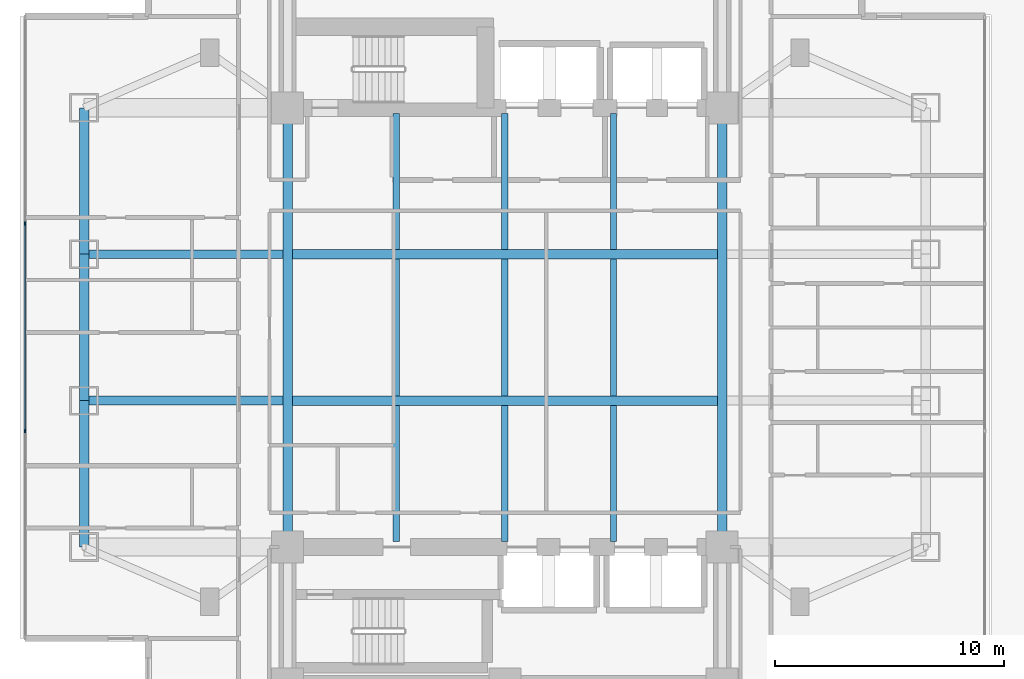
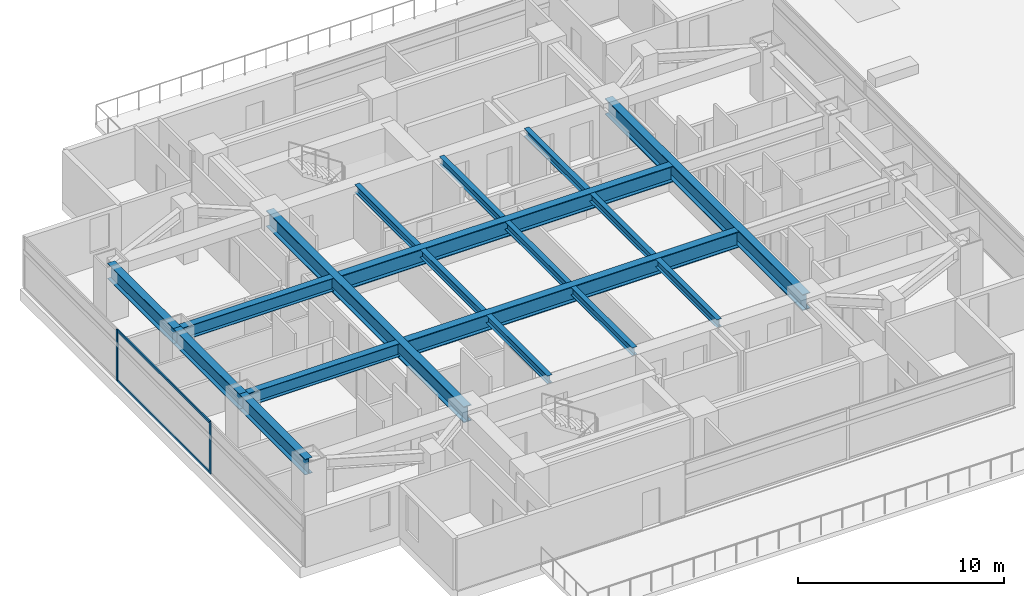
# One storey, part 3 of 26: 18 beams, 4 members, 1 element without a shape of its own.
"""IFC4 building model written with IfcOpenShell, lengths in metres."""

from ifc_helpers import new_model, si_unit, direction, frame, origin, origin_2d, place, context, subcontext, project, spatial, rectangle, i_section, extrude, material, material_profile, profile_set, type_object, element, aggregate, save


model = new_model("IFC4")

# Units and contexts
model_context = context("Model", 3, precision=1e-05, world=origin(), true_north=direction((0.0, 1.0)))
body_context = subcontext(model_context, "Body", "Model", "MODEL_VIEW")
ifc_project = project(units=[si_unit("LENGTHUNIT", "METRE"), si_unit("AREAUNIT", "SQUARE_METRE"), si_unit("VOLUMEUNIT", "CUBIC_METRE"), si_unit("PLANEANGLEUNIT", "RADIAN"), si_unit("MASSUNIT", "GRAM", prefix="KILO")], contexts=[model_context])

# Site, building, storey
site_placement = place(None, origin())
site = spatial("IfcSite", under=ifc_project, at=site_placement, CompositionType="ELEMENT")
building_placement = place(site_placement, origin())
building = spatial("IfcBuilding", under=site, at=building_placement, Name="Mirazonda Arch Towers", CompositionType="ELEMENT")
storey_placement = place(building_placement, frame((0.0, 0.0, 22.39990234375)))
storey = spatial("IfcBuildingStorey", under=building, at=storey_placement, Name="L05", CompositionType="ELEMENT", Elevation=22.39990234375)

# Beams
ifc_material_1 = material(Name="Steel ASTM A992 Grade 50", Category="steel")
ifc_material_profile_1 = material_profile(ifc_material_1, i_section(OverallWidth=0.41796875, OverallDepth=0.927001953125, WebThickness=0.019287109375, FlangeThickness=0.031982421875, at=origin_2d()), Name="W36X231")
ifc_profile_set_1 = profile_set([ifc_material_profile_1], Name="Steel ASTM A992 Grade 50")
beam_type_1 = type_object("IfcBeamType", Name="BM-EXT-W36X231", PredefinedType="USERDEFINED", material=ifc_profile_set_1)
beam_1_placement = place(storey_placement, frame((2.10009765625, 18.39990234375, 2.5966796875), z_axis=(0.0, 1.0, 0.0), x_axis=(-1.0, 0.0, 0.0)))
element("IfcBeam", 1, at=beam_1_placement, inside=storey, type_object=beam_type_1, Name="L05 Floor Beam BM-T1-L05-NS-W-18", ObjectType="GIRDER", PredefinedType="USERDEFINED", context=body_context, shape_type="SweptSolid", body=[
    extrude(i_section(OverallWidth=0.41796875, OverallDepth=0.927001953125, WebThickness=0.019287109375, FlangeThickness=0.031982421875, at=origin_2d()), origin(), (0.0, 0.0, 1.0), 6.400146484375),
])
beam_2_placement = place(storey_placement, frame((2.10009765625, 24.800048828125, 2.5966796875), z_axis=(0.0, 1.0, 0.0), x_axis=(-1.0, 0.0, 0.0)))
element("IfcBeam", 2, at=beam_2_placement, inside=storey, type_object=beam_type_1, Name="L05 Floor Beam BM-T1-L05-NS-W-24", ObjectType="GIRDER", PredefinedType="USERDEFINED", context=body_context, shape_type="SweptSolid", body=[
    extrude(i_section(OverallWidth=0.41796875, OverallDepth=0.927001953125, WebThickness=0.019287109375, FlangeThickness=0.031982421875, at=origin_2d()), origin(), (0.0, 0.0, 1.0), 6.39990234375),
])
beam_3_placement = place(storey_placement, frame((2.10009765625, 31.199951171875, 2.5966796875), z_axis=(0.0, 1.0, 0.0), x_axis=(-1.0, 0.0, 0.0)))
element("IfcBeam", 3, at=beam_3_placement, inside=storey, type_object=beam_type_1, Name="L05 Floor Beam BM-T1-L05-NS-W-31", ObjectType="GIRDER", PredefinedType="USERDEFINED", context=body_context, shape_type="SweptSolid", body=[
    extrude(i_section(OverallWidth=0.41796875, OverallDepth=0.927001953125, WebThickness=0.019287109375, FlangeThickness=0.031982421875, at=origin_2d()), origin(), (0.0, 0.0, 1.0), 6.400146484375),
])
ifc_material_profile_2 = material_profile(ifc_material_1, i_section(OverallWidth=0.280029296875, OverallDepth=0.462890625, WebThickness=0.0107421875, FlangeThickness=0.017333984375, at=origin_2d()), Name="W18X76")
ifc_profile_set_2 = profile_set([ifc_material_profile_2], Name="Steel ASTM A992 Grade 50")
beam_type_2 = type_object("IfcBeamType", Name="BM-INT-W18X76", PredefinedType="JOIST", material=ifc_profile_set_2)
for number, where, z_axis, x_axis, name in (
    (4, (15.75, 18.639892578125, 2.82861328125), (0.0, 1.0, 0.0), (-1.0, 0.0, 0.0), "L05 Floor Beam BM-T1-L05-J-157-18"),
    (5, (15.75, 31.407470703125, 2.82861328125), (0.0, 1.0, 0.0), (-1.0, 0.0, 0.0), "L05 Floor Beam BM-T1-L05-J-157-31"),
):
    element("IfcBeam", number, at=place(storey_placement, frame(where, z_axis=z_axis, x_axis=x_axis)), inside=storey, type_object=beam_type_2, Name=name, PredefinedType="JOIST", context=body_context, shape_type="SweptSolid", body=[
        extrude(i_section(OverallWidth=0.280029296875, OverallDepth=0.462890625, WebThickness=0.0107421875, FlangeThickness=0.017333984375, at=origin_2d()), origin(), (0.0, 0.0, 1.0), 5.95263671875),
    ])
beam_4_placement = place(storey_placement, frame((15.75, 25.007568359375, 2.82861328125), z_axis=(0.0, 1.0, 0.0), x_axis=(-1.0, 0.0, 0.0)))
element("IfcBeam", 6, at=beam_4_placement, inside=storey, type_object=beam_type_2, Name="L05 Floor Beam BM-T1-L05-J-157-24", PredefinedType="JOIST", context=body_context, shape_type="SweptSolid", body=[
    extrude(i_section(OverallWidth=0.280029296875, OverallDepth=0.462890625, WebThickness=0.0107421875, FlangeThickness=0.017333984375, at=origin_2d()), origin(), (0.0, 0.0, 1.0), 5.98486328125),
])
for number, where, z_axis, x_axis, name in (
    (7, (20.5, 18.639892578125, 2.82861328125), (0.0, 1.0, 0.0), (-1.0, 0.0, 0.0), "L05 Floor Beam BM-T1-L05-J-205-18"),
    (8, (20.5, 31.407470703125, 2.82861328125), (0.0, 1.0, 0.0), (-1.0, 0.0, 0.0), "L05 Floor Beam BM-T1-L05-J-205-31"),
):
    element("IfcBeam", number, at=place(storey_placement, frame(where, z_axis=z_axis, x_axis=x_axis)), inside=storey, type_object=beam_type_2, Name=name, PredefinedType="JOIST", context=body_context, shape_type="SweptSolid", body=[
        extrude(i_section(OverallWidth=0.280029296875, OverallDepth=0.462890625, WebThickness=0.0107421875, FlangeThickness=0.017333984375, at=origin_2d()), origin(), (0.0, 0.0, 1.0), 5.95263671875),
    ])
beam_5_placement = place(storey_placement, frame((20.5, 25.007568359375, 2.82861328125), z_axis=(0.0, 1.0, 0.0), x_axis=(-1.0, 0.0, 0.0)))
element("IfcBeam", 9, at=beam_5_placement, inside=storey, type_object=beam_type_2, Name="L05 Floor Beam BM-T1-L05-J-205-24", PredefinedType="JOIST", context=body_context, shape_type="SweptSolid", body=[
    extrude(i_section(OverallWidth=0.280029296875, OverallDepth=0.462890625, WebThickness=0.0107421875, FlangeThickness=0.017333984375, at=origin_2d()), origin(), (0.0, 0.0, 1.0), 5.98486328125),
])
for number, where, z_axis, x_axis, name in (
    (10, (25.25, 18.639892578125, 2.82861328125), (0.0, 1.0, 0.0), (-1.0, 0.0, 0.0), "L05 Floor Beam BM-T1-L05-J-252-18"),
    (11, (25.25, 31.407470703125, 2.82861328125), (0.0, 1.0, 0.0), (-1.0, 0.0, 0.0), "L05 Floor Beam BM-T1-L05-J-252-31"),
):
    element("IfcBeam", number, at=place(storey_placement, frame(where, z_axis=z_axis, x_axis=x_axis)), inside=storey, type_object=beam_type_2, Name=name, PredefinedType="JOIST", context=body_context, shape_type="SweptSolid", body=[
        extrude(i_section(OverallWidth=0.280029296875, OverallDepth=0.462890625, WebThickness=0.0107421875, FlangeThickness=0.017333984375, at=origin_2d()), origin(), (0.0, 0.0, 1.0), 5.95263671875),
    ])
beam_6_placement = place(storey_placement, frame((25.25, 25.007568359375, 2.82861328125), z_axis=(0.0, 1.0, 0.0), x_axis=(-1.0, 0.0, 0.0)))
element("IfcBeam", 12, at=beam_6_placement, inside=storey, type_object=beam_type_2, Name="L05 Floor Beam BM-T1-L05-J-252-24", PredefinedType="JOIST", context=body_context, shape_type="SweptSolid", body=[
    extrude(i_section(OverallWidth=0.280029296875, OverallDepth=0.462890625, WebThickness=0.0107421875, FlangeThickness=0.017333984375, at=origin_2d()), origin(), (0.0, 0.0, 1.0), 5.98486328125),
])
ifc_material_profile_3 = material_profile(ifc_material_1, i_section(OverallWidth=0.381103515625, OverallDepth=0.77294921875, WebThickness=0.0166015625, FlangeThickness=0.027099609375, at=origin_2d()), Name="W30X173")
ifc_profile_set_3 = profile_set([ifc_material_profile_3], Name="Steel ASTM A992 Grade 50")
beam_type_3 = type_object("IfcBeamType", Name="BM-INT-W30X173", PredefinedType="USERDEFINED", material=ifc_profile_set_3)
for number, where, z_axis, x_axis, name in (
    (13, (2.10009765625, 24.800048828125, 2.673583984375), (1.0, 0.0, 0.0), (0.0, 1.0, 0.0), "L05 Floor Beam BM-T1-L05-GW2"),
    (14, (2.10009765625, 31.199951171875, 2.673583984375), (1.0, 0.0, 0.0), (0.0, 1.0, 0.0), "L05 Floor Beam BM-T1-L05-GW3"),
):
    element("IfcBeam", number, at=place(storey_placement, frame(where, z_axis=z_axis, x_axis=x_axis)), inside=storey, type_object=beam_type_3, Name=name, ObjectType="GIRDER", PredefinedType="USERDEFINED", context=body_context, shape_type="SweptSolid", body=[
        extrude(i_section(OverallWidth=0.381103515625, OverallDepth=0.77294921875, WebThickness=0.0166015625, FlangeThickness=0.027099609375, at=origin_2d()), origin(), (0.0, 0.0, 1.0), 8.6884765625),
    ])
ifc_material_profile_4 = material_profile(ifc_material_1, i_section(OverallWidth=0.423095703125, OverallDepth=0.947998046875, WebThickness=0.02392578125, FlangeThickness=0.042724609375, at=origin_2d()), Name="W36X302")
ifc_profile_set_4 = profile_set([ifc_material_profile_4], Name="Steel ASTM A992 Grade 50")
beam_type_4 = type_object("IfcBeamType", Name="BM-INT-W36X302", PredefinedType="USERDEFINED", material=ifc_profile_set_4)
for number, where, z_axis, x_axis, name in (
    (15, (11.21142578125, 24.800048828125, 2.586181640625), (1.0, 0.0, 0.0), (0.0, 1.0, 0.0), "L05 Floor Beam BM-T1-L05-GC2"),
    (16, (11.21142578125, 31.199951171875, 2.586181640625), (1.0, 0.0, 0.0), (0.0, 1.0, 0.0), "L05 Floor Beam BM-T1-L05-GC3"),
):
    element("IfcBeam", number, at=place(storey_placement, frame(where, z_axis=z_axis, x_axis=x_axis)), inside=storey, type_object=beam_type_4, Name=name, ObjectType="GIRDER", PredefinedType="USERDEFINED", context=body_context, shape_type="SweptSolid", body=[
        extrude(i_section(OverallWidth=0.423095703125, OverallDepth=0.947998046875, WebThickness=0.02392578125, FlangeThickness=0.042724609375, at=origin_2d()), origin(), (0.0, 0.0, 1.0), 18.5771484375),
    ])
for number, where, z_axis, x_axis, name in (
    (17, (11.0, 18.39990234375, 2.586181640625), (0.0, 1.0, 0.0), (-1.0, 0.0, 0.0), "L05 Floor Beam BM-T1-L05-NS-CW-FULL"),
    (18, (30.0, 18.39990234375, 2.586181640625), (0.0, 1.0, 0.0), (-1.0, 0.0, 0.0), "L05 Floor Beam BM-T1-L05-NS-CE-FULL"),
):
    element("IfcBeam", number, at=place(storey_placement, frame(where, z_axis=z_axis, x_axis=x_axis)), inside=storey, type_object=beam_type_4, Name=name, ObjectType="GIRDER", PredefinedType="USERDEFINED", context=body_context, shape_type="SweptSolid", body=[
        extrude(i_section(OverallWidth=0.423095703125, OverallDepth=0.947998046875, WebThickness=0.02392578125, FlangeThickness=0.042724609375, at=origin_2d()), origin(), (0.0, 0.0, 1.0), 19.2001953125),
    ])

# Curtain wall, members
ifc_material_2 = material(Name="Anodised Aluminium and Low-E Glass", Category="aluminium")
curtain_wall_type = type_object("IfcCurtainWallType", Name="CW-HTL-UNIT", PredefinedType="NOTDEFINED", material=ifc_material_2)
curtain_wall_placement = place(storey_placement, origin())
curtain_wall = element("IfcCurtainWall", 19, at=curtain_wall_placement, inside=storey, type_object=curtain_wall_type, Name="L05 T1 W Facade CW-L05-T1-W", PredefinedType="NOTDEFINED")
ifc_material_3 = material(Name="Anodised Aluminium Alloy", Category="aluminium")
ifc_material_profile_5 = material_profile(ifc_material_3, rectangle(XDim=0.074951171875, YDim=0.1650390625, at=origin_2d()), Name="ALU-MULL-75x165")
ifc_profile_set_5 = profile_set([ifc_material_profile_5], Name="Anodised Aluminium Alloy")
member_type_1 = type_object("IfcMemberType", Name="MULL-CW-HTL-UNIT", PredefinedType="MULLION", material=ifc_profile_set_5)
member_1_placement = place(storey_placement, frame((-0.47998046875, 32.533447265625, 0.0), z_axis=(0.0, 0.0, 1.0), x_axis=(1.0, 0.0, 0.0)))
member_1 = element("IfcMember", 20, at=member_1_placement, type_object=member_type_1, Name="CW-112 mullion 2", PredefinedType="MULLION", context=body_context, shape_type="SweptSolid", body=[
    extrude(rectangle(XDim=0.074951171875, YDim=0.1650390625, at=origin_2d()), origin(), (0.0, 0.0, 1.0), 3.0400390625),
])
member_2_placement = place(storey_placement, frame((-0.47998046875, 23.466552734375, 0.0), z_axis=(0.0, 0.0, 1.0), x_axis=(1.0, 0.0, 0.0)))
member_2 = element("IfcMember", 21, at=member_2_placement, type_object=member_type_1, Name="CW-112 mullion 3", PredefinedType="MULLION", context=body_context, shape_type="SweptSolid", body=[
    extrude(rectangle(XDim=0.074951171875, YDim=0.1650390625, at=origin_2d()), origin(), (0.0, 0.0, 1.0), 3.0400390625),
])
ifc_material_profile_6 = material_profile(ifc_material_3, rectangle(XDim=0.074951171875, YDim=0.14501953125, at=origin_2d()), Name="ALU-TRAN-75x145")
ifc_profile_set_6 = profile_set([ifc_material_profile_6], Name="Anodised Aluminium Alloy")
member_type_2 = type_object("IfcMemberType", Name="TRAN-CW-HTL-UNIT", PredefinedType="USERDEFINED", material=ifc_profile_set_6)
member_3_placement = place(storey_placement, frame((-0.47998046875, 32.495849609375, 0.03759765625), z_axis=(0.0, -1.0, 0.0), x_axis=(1.0, 0.0, 0.0)))
member_3 = element("IfcMember", 22, at=member_3_placement, type_object=member_type_2, Name="CW-112 transom 2.1", ObjectType="TRANSOM", PredefinedType="USERDEFINED", context=body_context, shape_type="SweptSolid", body=[
    extrude(rectangle(XDim=0.074951171875, YDim=0.14501953125, at=origin_2d()), origin(), (0.0, 0.0, 1.0), 8.99169921875),
])
member_4_placement = place(storey_placement, frame((-0.47998046875, 32.495849609375, 3.002685546875), z_axis=(0.0, -1.0, 0.0), x_axis=(1.0, 0.0, 0.0)))
member_4 = element("IfcMember", 23, at=member_4_placement, type_object=member_type_2, Name="CW-112 transom 2.2", ObjectType="TRANSOM", PredefinedType="USERDEFINED", context=body_context, shape_type="SweptSolid", body=[
    extrude(rectangle(XDim=0.074951171875, YDim=0.14501953125, at=origin_2d()), origin(), (0.0, 0.0, 1.0), 8.99169921875),
])
aggregate(curtain_wall, [member_1, member_2, member_3, member_4])

save(model, "model.ifc")
